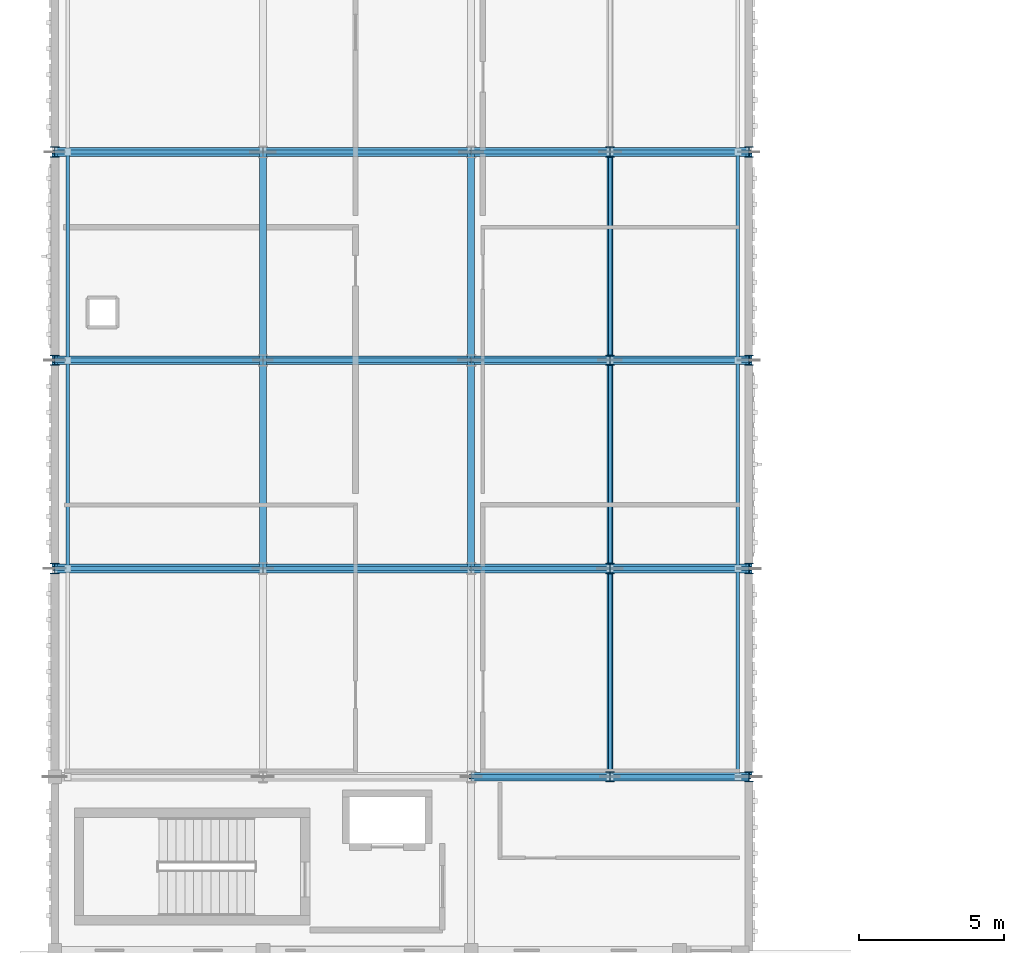
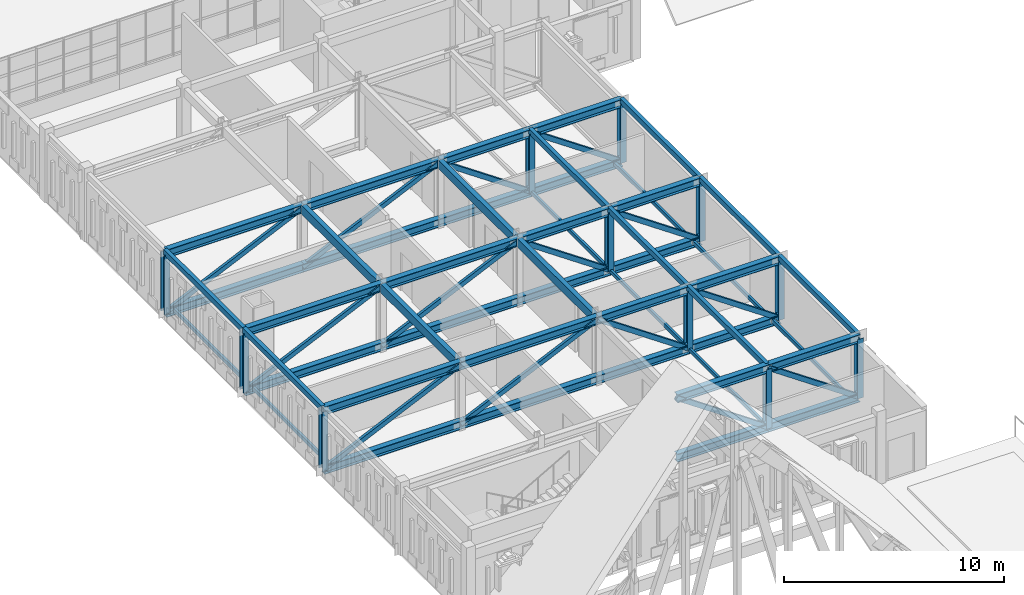
# One storey, part 10 of 79: 61 members, 12 beams.
"""IFC4 building model written with IfcOpenShell, lengths in metres."""

from ifc_helpers import new_model, si_unit, direction, frame, origin, origin_2d, place, context, subcontext, project, spatial, rectangle, hollow_rectangle, i_section, extrude, material, material_profile, profile_set, type_object, element, save


model = new_model("IFC4")

# Units and contexts
model_context = context("Model", 3, precision=1e-05, world=origin(), true_north=direction((0.0, 1.0)))
body_context = subcontext(model_context, "Body", "Model", "MODEL_VIEW")
ifc_project = project(units=[si_unit("LENGTHUNIT", "METRE"), si_unit("AREAUNIT", "SQUARE_METRE"), si_unit("VOLUMEUNIT", "CUBIC_METRE"), si_unit("PLANEANGLEUNIT", "RADIAN"), si_unit("MASSUNIT", "GRAM", prefix="KILO")], contexts=[model_context])

# Site, building, storey
site_placement = place(None, origin())
site = spatial("IfcSite", under=ifc_project, at=site_placement, CompositionType="ELEMENT")
building_placement = place(site_placement, origin())
building = spatial("IfcBuilding", under=site, at=building_placement, Name="Nzembalo Square Collegiate School", CompositionType="ELEMENT")
storey_placement = place(building_placement, frame((0.0, 0.0, 9.52001953125)))
storey = spatial("IfcBuildingStorey", under=building, at=storey_placement, Name="L02", CompositionType="ELEMENT", Elevation=9.52001953125)

# Beams
ifc_material_1 = material(Name="Glulam GL28h", Category="wood")
ifc_material_profile_1 = material_profile(ifc_material_1, rectangle(XDim=0.239990234375, YDim=0.47998046875, at=origin_2d()), Name="GL28h 240x480")
ifc_profile_set_1 = profile_set([ifc_material_profile_1], Name="Glulam GL28h")
beam_type_1 = type_object("IfcBeamType", Name="B06", PredefinedType="BEAM", material=ifc_profile_set_1)
for number, where, z_axis, x_axis, name in (
    (1, (15.60009765625, 57.60009765625, 3.544921875), (0.0, 1.0, 0.0), (-1.0, 0.0, 0.0), "Beam B06 L02"),
    (2, (15.60009765625, 64.800048828125, 3.544921875), (0.0, 1.0, 0.0), (-1.0, 0.0, 0.0), "Beam B06 L02"),
    (3, (22.800048828125, 57.60009765625, 3.544921875), (0.0, 1.0, 0.0), (-1.0, 0.0, 0.0), "Beam B06 L02"),
    (4, (22.800048828125, 64.800048828125, 3.544921875), (0.0, 1.0, 0.0), (-1.0, 0.0, 0.0), "Beam B06 L02"),
):
    element("IfcBeam", number, at=place(storey_placement, frame(where, z_axis=z_axis, x_axis=x_axis)), inside=storey, type_object=beam_type_1, Name=name, PredefinedType="BEAM", context=body_context, shape_type="SweptSolid", body=[
        extrude(rectangle(XDim=0.239990234375, YDim=0.47998046875, at=origin_2d()), origin(), (0.0, 0.0, 1.0), 7.199951171875),
    ])
ifc_material_2 = material(Name="Steel S355", Category="steel")
ifc_material_profile_2 = material_profile(ifc_material_2, hollow_rectangle(XDim=0.199951171875, YDim=0.300048828125, WallThickness=0.011962890625, at=origin_2d()), Name="RHS 300x200x12")
ifc_profile_set_2 = profile_set([ifc_material_profile_2], Name="Steel S355")
beam_type_2 = type_object("IfcBeamType", Name="SP03", PredefinedType="SPANDREL", material=ifc_profile_set_2)
for number, where, z_axis, x_axis, name in (
    (5, (32.39990234375, 50.39990234375, 3.635009765625), (0.0, 1.0, 0.0), (-1.0, 0.0, 0.0), "Cantilever edge beam SP03 4A L02"),
    (6, (27.60009765625, 50.39990234375, 3.635009765625), (0.0, 1.0, 0.0), (-1.0, 0.0, 0.0), "Cantilever edge beam SP03 4A L02"),
):
    element("IfcBeam", number, at=place(storey_placement, frame(where, z_axis=z_axis, x_axis=x_axis)), inside=storey, type_object=beam_type_2, Name=name, PredefinedType="SPANDREL", context=body_context, shape_type="SweptSolid", body=[
        extrude(hollow_rectangle(XDim=0.199951171875, YDim=0.300048828125, WallThickness=0.011962890625, at=origin_2d()), origin(), (0.0, 0.0, 1.0), 7.2001953125),
    ])
for number, where, z_axis, x_axis, name in (
    (7, (8.39990234375, 57.60009765625, 3.635009765625), (0.0, 1.0, 0.0), (-1.0, 0.0, 0.0), "Cantilever edge beam SP03 4A L02"),
    (8, (32.39990234375, 57.60009765625, 3.635009765625), (0.0, 1.0, 0.0), (-1.0, 0.0, 0.0), "Cantilever edge beam SP03 4A L02"),
    (9, (27.60009765625, 57.60009765625, 3.635009765625), (0.0, 1.0, 0.0), (-1.0, 0.0, 0.0), "Cantilever edge beam SP03 4A L02"),
    (10, (8.39990234375, 64.800048828125, 3.635009765625), (0.0, 1.0, 0.0), (-1.0, 0.0, 0.0), "Cantilever edge beam SP03 4A L02"),
    (11, (32.39990234375, 64.800048828125, 3.635009765625), (0.0, 1.0, 0.0), (-1.0, 0.0, 0.0), "Cantilever edge beam SP03 4A L02"),
    (12, (27.60009765625, 64.800048828125, 3.635009765625), (0.0, 1.0, 0.0), (-1.0, 0.0, 0.0), "Cantilever edge beam SP03 4A L02"),
):
    element("IfcBeam", number, at=place(storey_placement, frame(where, z_axis=z_axis, x_axis=x_axis)), inside=storey, type_object=beam_type_2, Name=name, PredefinedType="SPANDREL", context=body_context, shape_type="SweptSolid", body=[
        extrude(hollow_rectangle(XDim=0.199951171875, YDim=0.300048828125, WallThickness=0.011962890625, at=origin_2d()), origin(), (0.0, 0.0, 1.0), 7.199951171875),
    ])

# Members
ifc_material_3 = material(Name="Steel S355", Category="steel")
ifc_material_profile_3 = material_profile(ifc_material_3, hollow_rectangle(XDim=0.1201171875, YDim=0.199951171875, WallThickness=0.008056640625, at=origin_2d()), Name="RHS 200x120x8")
ifc_profile_set_3 = profile_set([ifc_material_profile_3], Name="Steel S355")
member_type_1 = type_object("IfcMemberType", Name="BR02", PredefinedType="BRACE", material=ifc_profile_set_3)
for number, where, z_axis, x_axis, name in (
    (13, (32.02001953125, 50.39990234375, 0.260009765625), (0.0, 1.0, 0.0), (-1.0, 0.0, 0.0), "Cantilever bottom-chord tie 4A btip"),
    (14, (27.60009765625, 50.39990234375, 0.260009765625), (0.0, 1.0, 0.0), (-1.0, 0.0, 0.0), "Cantilever bottom-chord tie 4A bmid"),
):
    element("IfcMember", number, at=place(storey_placement, frame(where, z_axis=z_axis, x_axis=x_axis)), inside=storey, type_object=member_type_1, Name=name, PredefinedType="BRACE", context=body_context, shape_type="SweptSolid", body=[
        extrude(hollow_rectangle(XDim=0.1201171875, YDim=0.199951171875, WallThickness=0.008056640625, at=origin_2d()), origin(), (0.0, 0.0, 1.0), 7.2001953125),
    ])
for number, where, z_axis, x_axis, name in (
    (15, (32.02001953125, 57.60009765625, 0.260009765625), (0.0, 1.0, 0.0), (-1.0, 0.0, 0.0), "Cantilever bottom-chord tie 4A btip"),
    (16, (27.60009765625, 57.60009765625, 0.260009765625), (0.0, 1.0, 0.0), (-1.0, 0.0, 0.0), "Cantilever bottom-chord tie 4A bmid"),
    (17, (32.02001953125, 64.800048828125, 0.260009765625), (0.0, 1.0, 0.0), (-1.0, 0.0, 0.0), "Cantilever bottom-chord tie 4A btip"),
    (18, (27.60009765625, 64.800048828125, 0.260009765625), (0.0, 1.0, 0.0), (-1.0, 0.0, 0.0), "Cantilever bottom-chord tie 4A bmid"),
    (19, (8.85009765625, 57.60009765625, 0.260009765625), (0.0, 1.0, 0.0), (-1.0, 0.0, 0.0), "Cantilever outer bottom-chord tie 4A"),
    (20, (8.85009765625, 64.800048828125, 0.260009765625), (0.0, 1.0, 0.0), (-1.0, 0.0, 0.0), "Cantilever outer bottom-chord tie 4A"),
):
    element("IfcMember", number, at=place(storey_placement, frame(where, z_axis=z_axis, x_axis=x_axis)), inside=storey, type_object=member_type_1, Name=name, PredefinedType="BRACE", context=body_context, shape_type="SweptSolid", body=[
        extrude(hollow_rectangle(XDim=0.1201171875, YDim=0.199951171875, WallThickness=0.008056640625, at=origin_2d()), origin(), (0.0, 0.0, 1.0), 7.199951171875),
    ])
ifc_material_4 = material(Name="Steel S355", Category="steel")
ifc_material_profile_4 = material_profile(ifc_material_4, i_section(OverallWidth=0.300048828125, OverallDepth=0.449951171875, WebThickness=0.013916015625, FlangeThickness=0.02587890625, at=origin_2d()), Name="HEB 450")
ifc_profile_set_4 = profile_set([ifc_material_profile_4], Name="Steel S355")
member_type_2 = type_object("IfcMemberType", Name="TC03", PredefinedType="CHORD", material=ifc_profile_set_4)
for number, where, z_axis, x_axis, name in (
    (21, (22.800048828125, 50.39990234375, 3.56005859375), (1.0, 0.0, 0.0), (0.0, 1.0, 0.0), "TT-4A-01 top chord 3"),
    (22, (22.800048828125, 50.39990234375, 0.260009765625), (1.0, 0.0, 0.0), (0.0, 1.0, 0.0), "TT-4A-01 bottom chord 3"),
):
    element("IfcMember", number, at=place(storey_placement, frame(where, z_axis=z_axis, x_axis=x_axis)), inside=storey, type_object=member_type_2, Name=name, PredefinedType="CHORD", context=body_context, shape_type="SweptSolid", body=[
        extrude(i_section(OverallWidth=0.300048828125, OverallDepth=0.449951171875, WebThickness=0.013916015625, FlangeThickness=0.02587890625, at=origin_2d()), origin(), (0.0, 0.0, 1.0), 4.800048828125),
    ])
for number, where, z_axis, x_axis, name in (
    (23, (27.60009765625, 50.39990234375, 3.56005859375), (1.0, 0.0, 0.0), (0.0, 1.0, 0.0), "TT-4A-01 top chord 4"),
    (24, (27.60009765625, 50.39990234375, 0.260009765625), (1.0, 0.0, 0.0), (0.0, 1.0, 0.0), "TT-4A-01 bottom chord 4"),
):
    element("IfcMember", number, at=place(storey_placement, frame(where, z_axis=z_axis, x_axis=x_axis)), inside=storey, type_object=member_type_2, Name=name, PredefinedType="CHORD", context=body_context, shape_type="SweptSolid", body=[
        extrude(i_section(OverallWidth=0.300048828125, OverallDepth=0.449951171875, WebThickness=0.013916015625, FlangeThickness=0.02587890625, at=origin_2d()), origin(), (0.0, 0.0, 1.0), 4.7998046875),
    ])
for number, where, z_axis, x_axis, name in (
    (25, (8.39990234375, 57.60009765625, 3.56005859375), (1.0, 0.0, 0.0), (0.0, 1.0, 0.0), "TT-4A-02 top chord 1"),
    (26, (8.39990234375, 57.60009765625, 0.260009765625), (1.0, 0.0, 0.0), (0.0, 1.0, 0.0), "TT-4A-02 bottom chord 1"),
):
    element("IfcMember", number, at=place(storey_placement, frame(where, z_axis=z_axis, x_axis=x_axis)), inside=storey, type_object=member_type_2, Name=name, PredefinedType="CHORD", context=body_context, shape_type="SweptSolid", body=[
        extrude(i_section(OverallWidth=0.300048828125, OverallDepth=0.449951171875, WebThickness=0.013916015625, FlangeThickness=0.02587890625, at=origin_2d()), origin(), (0.0, 0.0, 1.0), 7.2001953125),
    ])
for number, where, z_axis, x_axis, name in (
    (27, (15.60009765625, 57.60009765625, 3.56005859375), (1.0, 0.0, 0.0), (0.0, 1.0, 0.0), "TT-4A-02 top chord 2"),
    (28, (15.60009765625, 57.60009765625, 0.260009765625), (1.0, 0.0, 0.0), (0.0, 1.0, 0.0), "TT-4A-02 bottom chord 2"),
):
    element("IfcMember", number, at=place(storey_placement, frame(where, z_axis=z_axis, x_axis=x_axis)), inside=storey, type_object=member_type_2, Name=name, PredefinedType="CHORD", context=body_context, shape_type="SweptSolid", body=[
        extrude(i_section(OverallWidth=0.300048828125, OverallDepth=0.449951171875, WebThickness=0.013916015625, FlangeThickness=0.02587890625, at=origin_2d()), origin(), (0.0, 0.0, 1.0), 7.199951171875),
    ])
for number, where, z_axis, x_axis, name in (
    (29, (22.800048828125, 57.60009765625, 3.56005859375), (1.0, 0.0, 0.0), (0.0, 1.0, 0.0), "TT-4A-02 top chord 3"),
    (30, (22.800048828125, 57.60009765625, 0.260009765625), (1.0, 0.0, 0.0), (0.0, 1.0, 0.0), "TT-4A-02 bottom chord 3"),
):
    element("IfcMember", number, at=place(storey_placement, frame(where, z_axis=z_axis, x_axis=x_axis)), inside=storey, type_object=member_type_2, Name=name, PredefinedType="CHORD", context=body_context, shape_type="SweptSolid", body=[
        extrude(i_section(OverallWidth=0.300048828125, OverallDepth=0.449951171875, WebThickness=0.013916015625, FlangeThickness=0.02587890625, at=origin_2d()), origin(), (0.0, 0.0, 1.0), 4.800048828125),
    ])
for number, where, z_axis, x_axis, name in (
    (31, (27.60009765625, 57.60009765625, 3.56005859375), (1.0, 0.0, 0.0), (0.0, 1.0, 0.0), "TT-4A-02 top chord 4"),
    (32, (27.60009765625, 57.60009765625, 0.260009765625), (1.0, 0.0, 0.0), (0.0, 1.0, 0.0), "TT-4A-02 bottom chord 4"),
):
    element("IfcMember", number, at=place(storey_placement, frame(where, z_axis=z_axis, x_axis=x_axis)), inside=storey, type_object=member_type_2, Name=name, PredefinedType="CHORD", context=body_context, shape_type="SweptSolid", body=[
        extrude(i_section(OverallWidth=0.300048828125, OverallDepth=0.449951171875, WebThickness=0.013916015625, FlangeThickness=0.02587890625, at=origin_2d()), origin(), (0.0, 0.0, 1.0), 4.7998046875),
    ])
for number, where, z_axis, x_axis, name in (
    (33, (8.39990234375, 64.800048828125, 3.56005859375), (1.0, 0.0, 0.0), (0.0, 1.0, 0.0), "TT-4A-03 top chord 1"),
    (34, (8.39990234375, 64.800048828125, 0.260009765625), (1.0, 0.0, 0.0), (0.0, 1.0, 0.0), "TT-4A-03 bottom chord 1"),
):
    element("IfcMember", number, at=place(storey_placement, frame(where, z_axis=z_axis, x_axis=x_axis)), inside=storey, type_object=member_type_2, Name=name, PredefinedType="CHORD", context=body_context, shape_type="SweptSolid", body=[
        extrude(i_section(OverallWidth=0.300048828125, OverallDepth=0.449951171875, WebThickness=0.013916015625, FlangeThickness=0.02587890625, at=origin_2d()), origin(), (0.0, 0.0, 1.0), 7.2001953125),
    ])
for number, where, z_axis, x_axis, name in (
    (35, (15.60009765625, 64.800048828125, 3.56005859375), (1.0, 0.0, 0.0), (0.0, 1.0, 0.0), "TT-4A-03 top chord 2"),
    (36, (15.60009765625, 64.800048828125, 0.260009765625), (1.0, 0.0, 0.0), (0.0, 1.0, 0.0), "TT-4A-03 bottom chord 2"),
):
    element("IfcMember", number, at=place(storey_placement, frame(where, z_axis=z_axis, x_axis=x_axis)), inside=storey, type_object=member_type_2, Name=name, PredefinedType="CHORD", context=body_context, shape_type="SweptSolid", body=[
        extrude(i_section(OverallWidth=0.300048828125, OverallDepth=0.449951171875, WebThickness=0.013916015625, FlangeThickness=0.02587890625, at=origin_2d()), origin(), (0.0, 0.0, 1.0), 7.199951171875),
    ])
for number, where, z_axis, x_axis, name in (
    (37, (22.800048828125, 64.800048828125, 3.56005859375), (1.0, 0.0, 0.0), (0.0, 1.0, 0.0), "TT-4A-03 top chord 3"),
    (38, (22.800048828125, 64.800048828125, 0.260009765625), (1.0, 0.0, 0.0), (0.0, 1.0, 0.0), "TT-4A-03 bottom chord 3"),
):
    element("IfcMember", number, at=place(storey_placement, frame(where, z_axis=z_axis, x_axis=x_axis)), inside=storey, type_object=member_type_2, Name=name, PredefinedType="CHORD", context=body_context, shape_type="SweptSolid", body=[
        extrude(i_section(OverallWidth=0.300048828125, OverallDepth=0.449951171875, WebThickness=0.013916015625, FlangeThickness=0.02587890625, at=origin_2d()), origin(), (0.0, 0.0, 1.0), 4.800048828125),
    ])
for number, where, z_axis, x_axis, name in (
    (39, (27.60009765625, 64.800048828125, 3.56005859375), (1.0, 0.0, 0.0), (0.0, 1.0, 0.0), "TT-4A-03 top chord 4"),
    (40, (27.60009765625, 64.800048828125, 0.260009765625), (1.0, 0.0, 0.0), (0.0, 1.0, 0.0), "TT-4A-03 bottom chord 4"),
):
    element("IfcMember", number, at=place(storey_placement, frame(where, z_axis=z_axis, x_axis=x_axis)), inside=storey, type_object=member_type_2, Name=name, PredefinedType="CHORD", context=body_context, shape_type="SweptSolid", body=[
        extrude(i_section(OverallWidth=0.300048828125, OverallDepth=0.449951171875, WebThickness=0.013916015625, FlangeThickness=0.02587890625, at=origin_2d()), origin(), (0.0, 0.0, 1.0), 4.7998046875),
    ])
for number, where, z_axis, x_axis, name in (
    (41, (8.39990234375, 72.0, 3.56005859375), (1.0, 0.0, 0.0), (0.0, 1.0, 0.0), "TT-4A-04 top chord 1"),
    (42, (8.39990234375, 72.0, 0.260009765625), (1.0, 0.0, 0.0), (0.0, 1.0, 0.0), "TT-4A-04 bottom chord 1"),
):
    element("IfcMember", number, at=place(storey_placement, frame(where, z_axis=z_axis, x_axis=x_axis)), inside=storey, type_object=member_type_2, Name=name, PredefinedType="CHORD", context=body_context, shape_type="SweptSolid", body=[
        extrude(i_section(OverallWidth=0.300048828125, OverallDepth=0.449951171875, WebThickness=0.013916015625, FlangeThickness=0.02587890625, at=origin_2d()), origin(), (0.0, 0.0, 1.0), 7.2001953125),
    ])
for number, where, z_axis, x_axis, name in (
    (43, (15.60009765625, 72.0, 3.56005859375), (1.0, 0.0, 0.0), (0.0, 1.0, 0.0), "TT-4A-04 top chord 2"),
    (44, (15.60009765625, 72.0, 0.260009765625), (1.0, 0.0, 0.0), (0.0, 1.0, 0.0), "TT-4A-04 bottom chord 2"),
):
    element("IfcMember", number, at=place(storey_placement, frame(where, z_axis=z_axis, x_axis=x_axis)), inside=storey, type_object=member_type_2, Name=name, PredefinedType="CHORD", context=body_context, shape_type="SweptSolid", body=[
        extrude(i_section(OverallWidth=0.300048828125, OverallDepth=0.449951171875, WebThickness=0.013916015625, FlangeThickness=0.02587890625, at=origin_2d()), origin(), (0.0, 0.0, 1.0), 7.199951171875),
    ])
for number, where, z_axis, x_axis, name in (
    (45, (22.800048828125, 72.0, 3.56005859375), (1.0, 0.0, 0.0), (0.0, 1.0, 0.0), "TT-4A-04 top chord 3"),
    (46, (22.800048828125, 72.0, 0.260009765625), (1.0, 0.0, 0.0), (0.0, 1.0, 0.0), "TT-4A-04 bottom chord 3"),
):
    element("IfcMember", number, at=place(storey_placement, frame(where, z_axis=z_axis, x_axis=x_axis)), inside=storey, type_object=member_type_2, Name=name, PredefinedType="CHORD", context=body_context, shape_type="SweptSolid", body=[
        extrude(i_section(OverallWidth=0.300048828125, OverallDepth=0.449951171875, WebThickness=0.013916015625, FlangeThickness=0.02587890625, at=origin_2d()), origin(), (0.0, 0.0, 1.0), 4.800048828125),
    ])
for number, where, z_axis, x_axis, name in (
    (47, (27.60009765625, 72.0, 3.56005859375), (1.0, 0.0, 0.0), (0.0, 1.0, 0.0), "TT-4A-04 top chord 4"),
    (48, (27.60009765625, 72.0, 0.260009765625), (1.0, 0.0, 0.0), (0.0, 1.0, 0.0), "TT-4A-04 bottom chord 4"),
):
    element("IfcMember", number, at=place(storey_placement, frame(where, z_axis=z_axis, x_axis=x_axis)), inside=storey, type_object=member_type_2, Name=name, PredefinedType="CHORD", context=body_context, shape_type="SweptSolid", body=[
        extrude(i_section(OverallWidth=0.300048828125, OverallDepth=0.449951171875, WebThickness=0.013916015625, FlangeThickness=0.02587890625, at=origin_2d()), origin(), (0.0, 0.0, 1.0), 4.7998046875),
    ])
ifc_material_5 = material(Name="Steel S355", Category="steel")
ifc_material_profile_5 = material_profile(ifc_material_5, hollow_rectangle(XDim=0.14990234375, YDim=0.25, WallThickness=0.010009765625, at=origin_2d()), Name="RHS 250x150x10")
ifc_profile_set_5 = profile_set([ifc_material_profile_5], Name="Steel S355")
member_type_3 = type_object("IfcMemberType", Name="TD03", PredefinedType="BRACE", material=ifc_profile_set_5)
member_1_placement = place(storey_placement, frame((27.60009765625, 50.39990234375, 0.260009765625), z_axis=(-0.824040701288, 0.0, 0.566530601664), x_axis=(0.0, -1.0, 0.0)))
element("IfcMember", 49, at=member_1_placement, inside=storey, type_object=member_type_3, Name="TT-4A-01 web diagonal 3", PredefinedType="BRACE", context=body_context, shape_type="SweptSolid", body=[
    extrude(hollow_rectangle(XDim=0.14990234375, YDim=0.25, WallThickness=0.010009765625, at=origin_2d()), origin(), (0.0, 0.0, 1.0), 5.824951171875),
])
member_2_placement = place(storey_placement, frame((32.39990234375, 50.39990234375, 0.260009765625), z_axis=(-0.824027248499, 0.0, 0.566550168767), x_axis=(0.0, -1.0, 0.0)))
element("IfcMember", 50, at=member_2_placement, inside=storey, type_object=member_type_3, Name="TT-4A-01 web diagonal 4", PredefinedType="BRACE", context=body_context, shape_type="SweptSolid", body=[
    extrude(hollow_rectangle(XDim=0.14990234375, YDim=0.25, WallThickness=0.010009765625, at=origin_2d()), origin(), (0.0, 0.0, 1.0), 5.82470703125),
])
member_3_placement = place(storey_placement, frame((8.39990234375, 57.60009765625, 0.260009765625), z_axis=(0.909066768744, 0.0, 0.416650464977), x_axis=(0.0, 1.0, 0.0)))
element("IfcMember", 51, at=member_3_placement, inside=storey, type_object=member_type_3, Name="TT-4A-02 web diagonal 1", PredefinedType="BRACE", context=body_context, shape_type="SweptSolid", body=[
    extrude(hollow_rectangle(XDim=0.14990234375, YDim=0.25, WallThickness=0.010009765625, at=origin_2d()), origin(), (0.0, 0.0, 1.0), 7.92041015625),
])
member_4_placement = place(storey_placement, frame((15.60009765625, 57.60009765625, 0.260009765625), z_axis=(0.909061417515, 0.0, 0.416662140332), x_axis=(0.0, 1.0, 0.0)))
element("IfcMember", 52, at=member_4_placement, inside=storey, type_object=member_type_3, Name="TT-4A-02 web diagonal 2", PredefinedType="BRACE", context=body_context, shape_type="SweptSolid", body=[
    extrude(hollow_rectangle(XDim=0.14990234375, YDim=0.25, WallThickness=0.010009765625, at=origin_2d()), origin(), (0.0, 0.0, 1.0), 7.920166015625),
])
member_5_placement = place(storey_placement, frame((27.60009765625, 57.60009765625, 0.260009765625), z_axis=(-0.824040701288, 0.0, 0.566530601664), x_axis=(0.0, -1.0, 0.0)))
element("IfcMember", 53, at=member_5_placement, inside=storey, type_object=member_type_3, Name="TT-4A-02 web diagonal 3", PredefinedType="BRACE", context=body_context, shape_type="SweptSolid", body=[
    extrude(hollow_rectangle(XDim=0.14990234375, YDim=0.25, WallThickness=0.010009765625, at=origin_2d()), origin(), (0.0, 0.0, 1.0), 5.824951171875),
])
member_6_placement = place(storey_placement, frame((32.39990234375, 57.60009765625, 0.260009765625), z_axis=(-0.824027248499, 0.0, 0.566550168767), x_axis=(0.0, -1.0, 0.0)))
element("IfcMember", 54, at=member_6_placement, inside=storey, type_object=member_type_3, Name="TT-4A-02 web diagonal 4", PredefinedType="BRACE", context=body_context, shape_type="SweptSolid", body=[
    extrude(hollow_rectangle(XDim=0.14990234375, YDim=0.25, WallThickness=0.010009765625, at=origin_2d()), origin(), (0.0, 0.0, 1.0), 5.82470703125),
])
member_7_placement = place(storey_placement, frame((8.39990234375, 64.800048828125, 0.260009765625), z_axis=(0.909066768744, 0.0, 0.416650464977), x_axis=(0.0, 1.0, 0.0)))
element("IfcMember", 55, at=member_7_placement, inside=storey, type_object=member_type_3, Name="TT-4A-03 web diagonal 1", PredefinedType="BRACE", context=body_context, shape_type="SweptSolid", body=[
    extrude(hollow_rectangle(XDim=0.14990234375, YDim=0.25, WallThickness=0.010009765625, at=origin_2d()), origin(), (0.0, 0.0, 1.0), 7.92041015625),
])
member_8_placement = place(storey_placement, frame((15.60009765625, 64.800048828125, 0.260009765625), z_axis=(0.909061417515, 0.0, 0.416662140332), x_axis=(0.0, 1.0, 0.0)))
element("IfcMember", 56, at=member_8_placement, inside=storey, type_object=member_type_3, Name="TT-4A-03 web diagonal 2", PredefinedType="BRACE", context=body_context, shape_type="SweptSolid", body=[
    extrude(hollow_rectangle(XDim=0.14990234375, YDim=0.25, WallThickness=0.010009765625, at=origin_2d()), origin(), (0.0, 0.0, 1.0), 7.920166015625),
])
member_9_placement = place(storey_placement, frame((27.60009765625, 64.800048828125, 0.260009765625), z_axis=(-0.824040701288, 0.0, 0.566530601664), x_axis=(0.0, -1.0, 0.0)))
element("IfcMember", 57, at=member_9_placement, inside=storey, type_object=member_type_3, Name="TT-4A-03 web diagonal 3", PredefinedType="BRACE", context=body_context, shape_type="SweptSolid", body=[
    extrude(hollow_rectangle(XDim=0.14990234375, YDim=0.25, WallThickness=0.010009765625, at=origin_2d()), origin(), (0.0, 0.0, 1.0), 5.824951171875),
])
member_10_placement = place(storey_placement, frame((32.39990234375, 64.800048828125, 0.260009765625), z_axis=(-0.824027248499, 0.0, 0.566550168767), x_axis=(0.0, -1.0, 0.0)))
element("IfcMember", 58, at=member_10_placement, inside=storey, type_object=member_type_3, Name="TT-4A-03 web diagonal 4", PredefinedType="BRACE", context=body_context, shape_type="SweptSolid", body=[
    extrude(hollow_rectangle(XDim=0.14990234375, YDim=0.25, WallThickness=0.010009765625, at=origin_2d()), origin(), (0.0, 0.0, 1.0), 5.82470703125),
])
member_11_placement = place(storey_placement, frame((8.39990234375, 72.0, 0.260009765625), z_axis=(0.909066768744, 0.0, 0.416650464977), x_axis=(0.0, 1.0, 0.0)))
element("IfcMember", 59, at=member_11_placement, inside=storey, type_object=member_type_3, Name="TT-4A-04 web diagonal 1", PredefinedType="BRACE", context=body_context, shape_type="SweptSolid", body=[
    extrude(hollow_rectangle(XDim=0.14990234375, YDim=0.25, WallThickness=0.010009765625, at=origin_2d()), origin(), (0.0, 0.0, 1.0), 7.92041015625),
])
member_12_placement = place(storey_placement, frame((15.60009765625, 72.0, 0.260009765625), z_axis=(0.909061417515, 0.0, 0.416662140332), x_axis=(0.0, 1.0, 0.0)))
element("IfcMember", 60, at=member_12_placement, inside=storey, type_object=member_type_3, Name="TT-4A-04 web diagonal 2", PredefinedType="BRACE", context=body_context, shape_type="SweptSolid", body=[
    extrude(hollow_rectangle(XDim=0.14990234375, YDim=0.25, WallThickness=0.010009765625, at=origin_2d()), origin(), (0.0, 0.0, 1.0), 7.920166015625),
])
member_13_placement = place(storey_placement, frame((27.60009765625, 72.0, 0.260009765625), z_axis=(-0.824040701288, 0.0, 0.566530601664), x_axis=(0.0, -1.0, 0.0)))
element("IfcMember", 61, at=member_13_placement, inside=storey, type_object=member_type_3, Name="TT-4A-04 web diagonal 3", PredefinedType="BRACE", context=body_context, shape_type="SweptSolid", body=[
    extrude(hollow_rectangle(XDim=0.14990234375, YDim=0.25, WallThickness=0.010009765625, at=origin_2d()), origin(), (0.0, 0.0, 1.0), 5.824951171875),
])
member_14_placement = place(storey_placement, frame((32.39990234375, 72.0, 0.260009765625), z_axis=(-0.824027248499, 0.0, 0.566550168767), x_axis=(0.0, -1.0, 0.0)))
element("IfcMember", 62, at=member_14_placement, inside=storey, type_object=member_type_3, Name="TT-4A-04 web diagonal 4", PredefinedType="BRACE", context=body_context, shape_type="SweptSolid", body=[
    extrude(hollow_rectangle(XDim=0.14990234375, YDim=0.25, WallThickness=0.010009765625, at=origin_2d()), origin(), (0.0, 0.0, 1.0), 5.82470703125),
])
ifc_material_6 = material(Name="Steel S355", Category="steel")
ifc_material_profile_6 = material_profile(ifc_material_6, i_section(OverallWidth=0.300048828125, OverallDepth=0.35009765625, WebThickness=0.010009765625, FlangeThickness=0.017578125, at=origin_2d()), Name="HEA 360")
ifc_profile_set_6 = profile_set([ifc_material_profile_6], Name="Steel S355")
member_type_4 = type_object("IfcMemberType", Name="TP02", PredefinedType="POST", material=ifc_profile_set_6)
for number, where, z_axis, x_axis, name in (
    (63, (27.60009765625, 50.39990234375, 0.260009765625), (0.0, 0.0, 1.0), (1.0, 0.0, 0.0), "TT-4A-01 cantilever post 3"),
    (64, (32.39990234375, 50.39990234375, 0.260009765625), (0.0, 0.0, 1.0), (1.0, 0.0, 0.0), "TT-4A-01 cantilever post 4"),
    (65, (8.39990234375, 57.60009765625, 0.260009765625), (0.0, 0.0, 1.0), (1.0, 0.0, 0.0), "TT-4A-02 cantilever post 0"),
    (66, (27.60009765625, 57.60009765625, 0.260009765625), (0.0, 0.0, 1.0), (1.0, 0.0, 0.0), "TT-4A-02 cantilever post 3"),
    (67, (32.39990234375, 57.60009765625, 0.260009765625), (0.0, 0.0, 1.0), (1.0, 0.0, 0.0), "TT-4A-02 cantilever post 4"),
    (68, (8.39990234375, 64.800048828125, 0.260009765625), (0.0, 0.0, 1.0), (1.0, 0.0, 0.0), "TT-4A-03 cantilever post 0"),
    (69, (27.60009765625, 64.800048828125, 0.260009765625), (0.0, 0.0, 1.0), (1.0, 0.0, 0.0), "TT-4A-03 cantilever post 3"),
    (70, (32.39990234375, 64.800048828125, 0.260009765625), (0.0, 0.0, 1.0), (1.0, 0.0, 0.0), "TT-4A-03 cantilever post 4"),
    (71, (8.39990234375, 72.0, 0.260009765625), (0.0, 0.0, 1.0), (1.0, 0.0, 0.0), "TT-4A-04 cantilever post 0"),
    (72, (27.60009765625, 72.0, 0.260009765625), (0.0, 0.0, 1.0), (1.0, 0.0, 0.0), "TT-4A-04 cantilever post 3"),
    (73, (32.39990234375, 72.0, 0.260009765625), (0.0, 0.0, 1.0), (1.0, 0.0, 0.0), "TT-4A-04 cantilever post 4"),
):
    element("IfcMember", number, at=place(storey_placement, frame(where, z_axis=z_axis, x_axis=x_axis)), inside=storey, type_object=member_type_4, Name=name, PredefinedType="POST", context=body_context, shape_type="SweptSolid", body=[
        extrude(i_section(OverallWidth=0.300048828125, OverallDepth=0.35009765625, WebThickness=0.010009765625, FlangeThickness=0.017578125, at=origin_2d()), origin(), (0.0, 0.0, 1.0), 3.300048828125),
    ])

save(model, "model.ifc")
